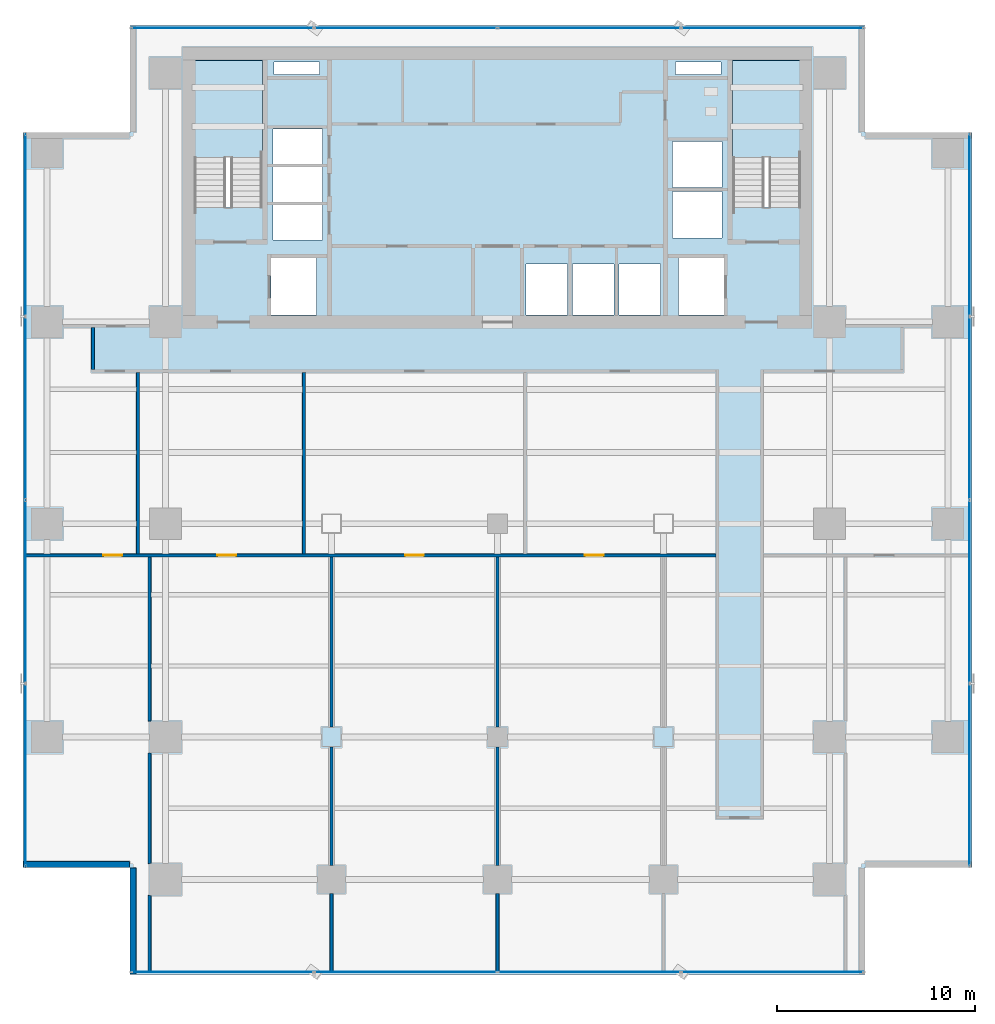
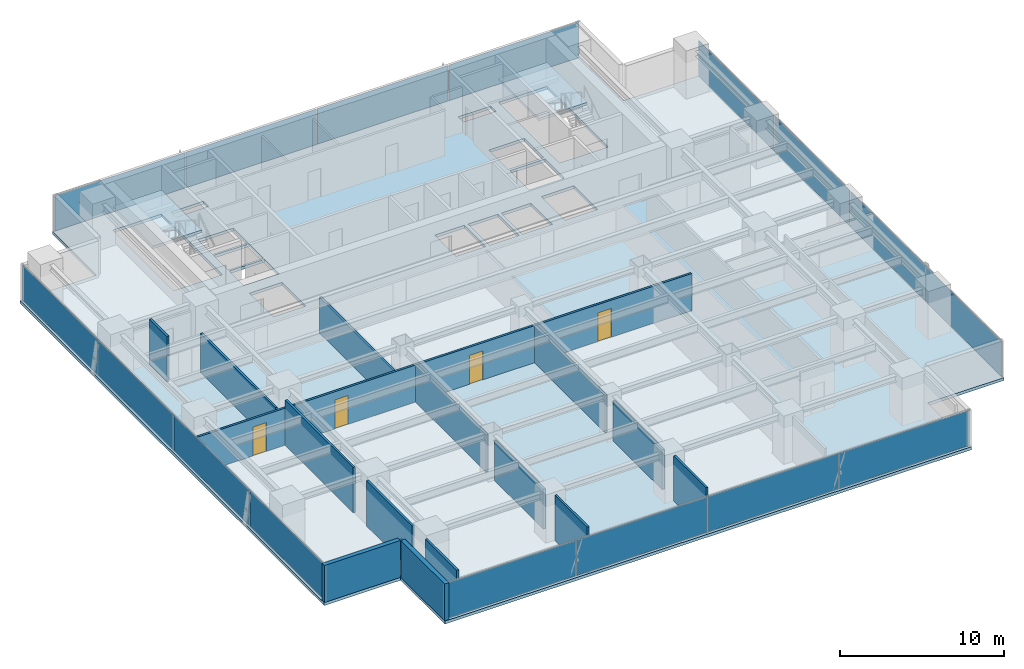
# One storey, part 20 of 28: 16 plates, 15 walls, 4 doors, 3 slabs, 4 openings, 6 elements without a shape of their own.
"""IFC4 building model written with IfcOpenShell, lengths in metres."""

from ifc_helpers import new_model, si_unit, direction, frame, frame_2d, origin, origin_2d, place, context, subcontext, project, spatial, polyline, rectangle, outline, extrude, source, transform, mapped, material, layer, layer_set, type_object, element, fill, aggregate, save


model = new_model("IFC4")

# Units and contexts
model_context = context("Model", 3, precision=1e-05, world=origin(), true_north=direction((0.0, 1.0)))
body_context = subcontext(model_context, "Body", "Model", "MODEL_VIEW")
ifc_project = project(units=[si_unit("LENGTHUNIT", "METRE"), si_unit("AREAUNIT", "SQUARE_METRE"), si_unit("VOLUMEUNIT", "CUBIC_METRE"), si_unit("PLANEANGLEUNIT", "RADIAN"), si_unit("MASSUNIT", "GRAM", prefix="KILO")], contexts=[model_context])

# Site, building, storey
site_placement = place(None, origin())
site = spatial("IfcSite", under=ifc_project, at=site_placement, CompositionType="ELEMENT")
building_placement = place(site_placement, origin())
building = spatial("IfcBuilding", under=site, at=building_placement, Name="Sumidabori Civic Tower", CompositionType="ELEMENT")
storey_placement = place(building_placement, frame((0.0, 0.0, 153.199951171875)))
storey = spatial("IfcBuildingStorey", under=building, at=storey_placement, Name="L39", CompositionType="ELEMENT", Elevation=153.199951171875)

# Stair, slab
ifc_material_1 = material(Name="Concrete C40/50", Category="concrete")
stair_type = type_object("IfcStairType", Name="ST-CORE-1600", PredefinedType="HALF_TURN_STAIR", material=ifc_material_1)
stair_1_placement = place(storey_placement, origin())
stair_1 = element("IfcStair", 1, at=stair_1_placement, inside=storey, type_object=stair_type, Name="L39 ST-1", PredefinedType="HALF_TURN_STAIR")
ifc_layer_1 = layer(ifc_material_1, 0.199951171875, Name="Concrete C40/50")
ifc_layer_set_1 = layer_set([ifc_layer_1], Name="Concrete C40/50")
slab_type_1 = type_object("IfcSlabType", Name="SL-LAND-200", PredefinedType="LANDING", material=ifc_layer_set_1)
slab_1_placement = place(storey_placement, frame((0.0, 0.0, 1.60009765625)))
slab_1 = element("IfcSlab", 2, at=slab_1_placement, type_object=slab_type_1, Name="ST-1 landing 1", PredefinedType="LANDING", context=body_context, shape_type="SweptSolid", body=[
    extrude(outline(polyline([(-11.89990234375, 18.52001953125), (-11.89990234375, 23.449951171875), (-15.340087890625, 23.449951171875), (-15.340087890625, 18.52001953125), (-11.89990234375, 18.52001953125)])), origin(), (0.0, 0.0, 1.0), 0.199951171875),
])
aggregate(stair_1, [slab_1])

stair_2_placement = place(storey_placement, origin())
stair_2 = element("IfcStair", 3, at=stair_2_placement, inside=storey, type_object=stair_type, Name="L39 ST-2", PredefinedType="HALF_TURN_STAIR")
slab_2_placement = place(storey_placement, frame((0.0, 0.0, 1.60009765625)))
slab_2 = element("IfcSlab", 4, at=slab_2_placement, type_object=slab_type_1, Name="ST-2 landing 1", PredefinedType="LANDING", context=body_context, shape_type="SweptSolid", body=[
    extrude(outline(polyline([(15.340087890625, 18.52001953125), (15.340087890625, 23.449951171875), (11.89990234375, 23.449951171875), (11.89990234375, 18.52001953125), (15.340087890625, 18.52001953125)])), origin(), (0.0, 0.0, 1.0), 0.199951171875),
])
aggregate(stair_2, [slab_2])

# Slab
ifc_layer_2 = layer(ifc_material_1, 0.219970703125, Name="Concrete C40/50")
ifc_layer_set_2 = layer_set([ifc_layer_2], Name="Concrete C40/50")
slab_type_2 = type_object("IfcSlabType", Name="SL-Z3-220", PredefinedType="FLOOR", material=ifc_layer_set_2)
slab_3_placement = place(storey_placement, frame((0.0, 0.0, -0.219970703125)))
element("IfcSlab", 5, at=slab_3_placement, inside=storey, type_object=slab_type_2, Name="Structural Slab L39", PredefinedType="FLOOR", context=body_context, shape_type="SweptSolid", body=[
    extrude(outline(polyline([(-18.60009765625, -22.800048828125), (18.60009765625, -22.800048828125), (18.60009765625, -17.39990234375), (24.0, -17.39990234375), (24.0, 19.800048828125), (18.60009765625, 19.800048828125), (18.60009765625, 25.199951171875), (-18.60009765625, 25.199951171875), (-18.60009765625, 19.800048828125), (-24.0, 19.800048828125), (-24.0, -17.39990234375), (-18.60009765625, -17.39990234375), (-18.60009765625, -22.800048828125)]), holes=[polyline([(-11.89990234375, 16.0), (-11.89990234375, 23.449951171875), (-15.340087890625, 23.449951171875), (-15.340087890625, 16.0), (-11.89990234375, 16.0)]), polyline([(15.340087890625, 16.0), (15.340087890625, 23.449951171875), (11.89990234375, 23.449951171875), (11.89990234375, 16.0), (15.340087890625, 16.0)]), polyline([(-11.449951171875, 10.550048828125), (-9.14990234375, 10.550048828125), (-9.14990234375, 13.449951171875), (-11.449951171875, 13.449951171875), (-11.449951171875, 10.550048828125)]), polyline([(9.14990234375, 10.550048828125), (11.449951171875, 10.550048828125), (11.449951171875, 13.449951171875), (9.14990234375, 13.449951171875), (9.14990234375, 10.550048828125)]), polyline([(1.449951171875, 10.550048828125), (3.550048828125, 10.550048828125), (3.550048828125, 13.14990234375), (1.449951171875, 13.14990234375), (1.449951171875, 10.550048828125)]), polyline([(3.800048828125, 10.550048828125), (5.89990234375, 10.550048828125), (5.89990234375, 13.14990234375), (3.800048828125, 13.14990234375), (3.800048828125, 10.550048828125)]), polyline([(6.14990234375, 10.550048828125), (8.25, 10.550048828125), (8.25, 13.14990234375), (6.14990234375, 13.14990234375), (6.14990234375, 10.550048828125)]), polyline([(-11.35009765625, 14.35009765625), (-8.85009765625, 14.35009765625), (-8.85009765625, 16.1201171875), (-11.35009765625, 16.1201171875), (-11.35009765625, 14.35009765625)]), polyline([(-11.35009765625, 16.27001953125), (-8.85009765625, 16.27001953125), (-8.85009765625, 18.0400390625), (-11.35009765625, 18.0400390625), (-11.35009765625, 16.27001953125)]), polyline([(-11.35009765625, 18.18994140625), (-8.85009765625, 18.18994140625), (-8.85009765625, 19.9599609375), (-11.35009765625, 19.9599609375), (-11.35009765625, 18.18994140625)]), polyline([(8.85009765625, 14.449951171875), (11.35009765625, 14.449951171875), (11.35009765625, 16.800048828125), (8.85009765625, 16.800048828125), (8.85009765625, 14.449951171875)]), polyline([(8.85009765625, 17.0), (11.35009765625, 17.0), (11.35009765625, 19.35009765625), (8.85009765625, 19.35009765625), (8.85009765625, 17.0)]), polyline([(-11.300048828125, 22.719970703125), (-9.0, 22.719970703125), (-9.0, 23.35009765625), (-11.300048828125, 23.35009765625), (-11.300048828125, 22.719970703125)]), polyline([(9.0, 22.719970703125), (11.300048828125, 22.719970703125), (11.300048828125, 23.35009765625), (9.0, 23.35009765625), (9.0, 22.719970703125)])]), origin(), (0.0, 0.0, 1.0), 0.219970703125),
])

# Curtain wall, plates
ifc_material_2 = material(Name="Anodised Bronze Aluminium AW-6063-T6", Category="aluminium")
ifc_layer_3 = layer(ifc_material_2, 0.179931640625, Name="Anodised Bronze Aluminium AW-6063-T6")
ifc_layer_set_3 = layer_set([ifc_layer_3], Name="Anodised Bronze Aluminium AW-6063-T6")
curtain_wall_type = type_object("IfcCurtainWallType", Name="CW-SYS-3", PredefinedType="NOTDEFINED", material=ifc_layer_set_3)
curtain_wall_1_placement = place(storey_placement, origin())
curtain_wall_1 = element("IfcCurtainWall", 6, at=curtain_wall_1_placement, inside=storey, type_object=curtain_wall_type, Name="Curtain Wall CW:L39:R01", PredefinedType="NOTDEFINED")
ifc_material_3 = material(Name="Low-E Solar-Control Vision Glazing", Category="glass")
ifc_layer_4 = layer(ifc_material_3, 0.028076171875, Name="Low-E Solar-Control Vision Glazing")
ifc_layer_set_4 = layer_set([ifc_layer_4], Name="Low-E Solar-Control Vision Glazing")
plate_type = type_object("IfcPlateType", Name="CW-PNL-28", PredefinedType="CURTAIN_PANEL", material=ifc_layer_set_4)
shared_shape_1 = source(origin(), body_context, "Body", "SweptSolid", [
    extrude(rectangle(XDim=9.1875, YDim=0.028076171875, at=origin_2d()), origin(), (0.0, 0.0, 1.0), 2.639892578125),
])
plate_1_placement = place(storey_placement, frame((-13.9111328125, -22.679931640625, 0.06005859375), z_axis=(0.0, 0.0, 1.0), x_axis=(1.0, 0.0, 0.0)))
plate_1 = element("IfcPlate", 7, at=plate_1_placement, type_object=plate_type, Name="CW-3 panel 1.1", PredefinedType="CURTAIN_PANEL", context=body_context, shape_type="MappedRepresentation", body=[
    mapped(shared_shape_1, transform((0.0, 0.0, 0.0), x_axis=(1.0, 0.0, 0.0), y_axis=(0.0, 1.0, 0.0), z_axis=(0.0, 0.0, 1.0), scale=1.0)),
])
plate_2_placement = place(storey_placement, frame((13.9111328125, -22.679931640625, 0.06005859375), z_axis=(0.0, 0.0, 1.0), x_axis=(1.0, 0.0, 0.0)))
plate_2 = element("IfcPlate", 8, at=plate_2_placement, type_object=plate_type, Name="CW-3 panel 4.1", PredefinedType="CURTAIN_PANEL", context=body_context, shape_type="MappedRepresentation", body=[
    mapped(shared_shape_1, transform((0.0, 0.0, 0.0), x_axis=(1.0, 0.0, 0.0), y_axis=(0.0, 1.0, 0.0), z_axis=(0.0, 0.0, 1.0), scale=1.0)),
])

curtain_wall_2_placement = place(storey_placement, origin())
curtain_wall_2 = element("IfcCurtainWall", 9, at=curtain_wall_2_placement, inside=storey, type_object=curtain_wall_type, Name="Curtain Wall CW:L39:R04", PredefinedType="NOTDEFINED")
plate_3_placement = place(storey_placement, frame((23.8798828125, -12.711181640625, 0.06005859375), z_axis=(0.0, 0.0, 1.0), x_axis=(0.0, 1.0, 0.0)))
plate_3 = element("IfcPlate", 10, at=plate_3_placement, type_object=plate_type, Name="CW-3 panel 1.1", PredefinedType="CURTAIN_PANEL", context=body_context, shape_type="MappedRepresentation", body=[
    mapped(shared_shape_1, transform((0.0, 0.0, 0.0), x_axis=(1.0, 0.0, 0.0), y_axis=(0.0, 1.0, 0.0), z_axis=(0.0, 0.0, 1.0), scale=1.0)),
])
plate_4_placement = place(storey_placement, frame((23.8798828125, 15.111328125, 0.06005859375), z_axis=(0.0, 0.0, 1.0), x_axis=(0.0, 1.0, 0.0)))
plate_4 = element("IfcPlate", 11, at=plate_4_placement, type_object=plate_type, Name="CW-3 panel 4.1", PredefinedType="CURTAIN_PANEL", context=body_context, shape_type="MappedRepresentation", body=[
    mapped(shared_shape_1, transform((0.0, 0.0, 0.0), x_axis=(1.0, 0.0, 0.0), y_axis=(0.0, 1.0, 0.0), z_axis=(0.0, 0.0, 1.0), scale=1.0)),
])

curtain_wall_3_placement = place(storey_placement, origin())
curtain_wall_3 = element("IfcCurtainWall", 12, at=curtain_wall_3_placement, inside=storey, type_object=curtain_wall_type, Name="Curtain Wall CW:L39:R07", PredefinedType="NOTDEFINED")
plate_5_placement = place(storey_placement, frame((13.9111328125, 25.080078125, 0.06005859375), z_axis=(0.0, 0.0, 1.0), x_axis=(-1.0, 0.0, 0.0)))
plate_5 = element("IfcPlate", 13, at=plate_5_placement, type_object=plate_type, Name="CW-3 panel 1.1", PredefinedType="CURTAIN_PANEL", context=body_context, shape_type="MappedRepresentation", body=[
    mapped(shared_shape_1, transform((0.0, 0.0, 0.0), x_axis=(1.0, 0.0, 0.0), y_axis=(0.0, 1.0, 0.0), z_axis=(0.0, 0.0, 1.0), scale=1.0)),
])
plate_6_placement = place(storey_placement, frame((-13.9111328125, 25.080078125, 0.06005859375), z_axis=(0.0, 0.0, 1.0), x_axis=(-1.0, 0.0, 0.0)))
plate_6 = element("IfcPlate", 14, at=plate_6_placement, type_object=plate_type, Name="CW-3 panel 4.1", PredefinedType="CURTAIN_PANEL", context=body_context, shape_type="MappedRepresentation", body=[
    mapped(shared_shape_1, transform((0.0, 0.0, 0.0), x_axis=(1.0, 0.0, 0.0), y_axis=(0.0, 1.0, 0.0), z_axis=(0.0, 0.0, 1.0), scale=1.0)),
])

curtain_wall_4_placement = place(storey_placement, origin())
curtain_wall_4 = element("IfcCurtainWall", 15, at=curtain_wall_4_placement, inside=storey, type_object=curtain_wall_type, Name="Curtain Wall CW:L39:R10", PredefinedType="NOTDEFINED")
plate_7_placement = place(storey_placement, frame((-23.8798828125, 15.111328125, 0.06005859375), z_axis=(0.0, 0.0, 1.0), x_axis=(0.0, -1.0, 0.0)))
plate_7 = element("IfcPlate", 16, at=plate_7_placement, type_object=plate_type, Name="CW-3 panel 1.1", PredefinedType="CURTAIN_PANEL", context=body_context, shape_type="MappedRepresentation", body=[
    mapped(shared_shape_1, transform((0.0, 0.0, 0.0), x_axis=(1.0, 0.0, 0.0), y_axis=(0.0, 1.0, 0.0), z_axis=(0.0, 0.0, 1.0), scale=1.0)),
])
plate_8_placement = place(storey_placement, frame((-23.8798828125, -12.711181640625, 0.06005859375), z_axis=(0.0, 0.0, 1.0), x_axis=(0.0, -1.0, 0.0)))
plate_8 = element("IfcPlate", 17, at=plate_8_placement, type_object=plate_type, Name="CW-3 panel 4.1", PredefinedType="CURTAIN_PANEL", context=body_context, shape_type="MappedRepresentation", body=[
    mapped(shared_shape_1, transform((0.0, 0.0, 0.0), x_axis=(1.0, 0.0, 0.0), y_axis=(0.0, 1.0, 0.0), z_axis=(0.0, 0.0, 1.0), scale=1.0)),
])

# Plate
shared_shape_2 = source(origin(), body_context, "Body", "SweptSolid", [
    extrude(rectangle(XDim=9.219970703125, YDim=0.028076171875, at=origin_2d()), origin(), (0.0, 0.0, 1.0), 2.639892578125),
])
plate_9_placement = place(storey_placement, frame((-4.642578125, -22.679931640625, 0.06005859375), z_axis=(0.0, 0.0, 1.0), x_axis=(1.0, 0.0, 0.0)))
plate_9 = element("IfcPlate", 18, at=plate_9_placement, type_object=plate_type, Name="CW-3 panel 2.1", PredefinedType="CURTAIN_PANEL", context=body_context, shape_type="MappedRepresentation", body=[
    mapped(shared_shape_2, transform((0.0, 0.0, 0.0), x_axis=(1.0, 0.0, 0.0), y_axis=(0.0, 1.0, 0.0), z_axis=(0.0, 0.0, 1.0), scale=1.0)),
])

plate_10_placement = place(storey_placement, frame((4.642578125, -22.679931640625, 0.06005859375), z_axis=(0.0, 0.0, 1.0), x_axis=(1.0, 0.0, 0.0)))
plate_10 = element("IfcPlate", 19, at=plate_10_placement, type_object=plate_type, Name="CW-3 panel 3.1", PredefinedType="CURTAIN_PANEL", context=body_context, shape_type="MappedRepresentation", body=[
    mapped(shared_shape_2, transform((0.0, 0.0, 0.0), x_axis=(1.0, 0.0, 0.0), y_axis=(0.0, 1.0, 0.0), z_axis=(0.0, 0.0, 1.0), scale=1.0)),
])

aggregate(curtain_wall_1, [plate_1, plate_9, plate_10, plate_2])

plate_11_placement = place(storey_placement, frame((23.8798828125, -3.4423828125, 0.06005859375), z_axis=(0.0, 0.0, 1.0), x_axis=(0.0, 1.0, 0.0)))
plate_11 = element("IfcPlate", 20, at=plate_11_placement, type_object=plate_type, Name="CW-3 panel 2.1", PredefinedType="CURTAIN_PANEL", context=body_context, shape_type="MappedRepresentation", body=[
    mapped(shared_shape_2, transform((0.0, 0.0, 0.0), x_axis=(1.0, 0.0, 0.0), y_axis=(0.0, 1.0, 0.0), z_axis=(0.0, 0.0, 1.0), scale=1.0)),
])

plate_12_placement = place(storey_placement, frame((23.8798828125, 5.842529296875, 0.06005859375), z_axis=(0.0, 0.0, 1.0), x_axis=(0.0, 1.0, 0.0)))
plate_12 = element("IfcPlate", 21, at=plate_12_placement, type_object=plate_type, Name="CW-3 panel 3.1", PredefinedType="CURTAIN_PANEL", context=body_context, shape_type="MappedRepresentation", body=[
    mapped(shared_shape_2, transform((0.0, 0.0, 0.0), x_axis=(1.0, 0.0, 0.0), y_axis=(0.0, 1.0, 0.0), z_axis=(0.0, 0.0, 1.0), scale=1.0)),
])

aggregate(curtain_wall_2, [plate_3, plate_11, plate_12, plate_4])

plate_13_placement = place(storey_placement, frame((4.642578125, 25.080078125, 0.06005859375), z_axis=(0.0, 0.0, 1.0), x_axis=(-1.0, 0.0, 0.0)))
plate_13 = element("IfcPlate", 22, at=plate_13_placement, type_object=plate_type, Name="CW-3 panel 2.1", PredefinedType="CURTAIN_PANEL", context=body_context, shape_type="MappedRepresentation", body=[
    mapped(shared_shape_2, transform((0.0, 0.0, 0.0), x_axis=(1.0, 0.0, 0.0), y_axis=(0.0, 1.0, 0.0), z_axis=(0.0, 0.0, 1.0), scale=1.0)),
])

plate_14_placement = place(storey_placement, frame((-4.642578125, 25.080078125, 0.06005859375), z_axis=(0.0, 0.0, 1.0), x_axis=(-1.0, 0.0, 0.0)))
plate_14 = element("IfcPlate", 23, at=plate_14_placement, type_object=plate_type, Name="CW-3 panel 3.1", PredefinedType="CURTAIN_PANEL", context=body_context, shape_type="MappedRepresentation", body=[
    mapped(shared_shape_2, transform((0.0, 0.0, 0.0), x_axis=(1.0, 0.0, 0.0), y_axis=(0.0, 1.0, 0.0), z_axis=(0.0, 0.0, 1.0), scale=1.0)),
])

aggregate(curtain_wall_3, [plate_5, plate_13, plate_14, plate_6])

plate_15_placement = place(storey_placement, frame((-23.8798828125, 5.842529296875, 0.06005859375), z_axis=(0.0, 0.0, 1.0), x_axis=(0.0, -1.0, 0.0)))
plate_15 = element("IfcPlate", 24, at=plate_15_placement, type_object=plate_type, Name="CW-3 panel 2.1", PredefinedType="CURTAIN_PANEL", context=body_context, shape_type="MappedRepresentation", body=[
    mapped(shared_shape_2, transform((0.0, 0.0, 0.0), x_axis=(1.0, 0.0, 0.0), y_axis=(0.0, 1.0, 0.0), z_axis=(0.0, 0.0, 1.0), scale=1.0)),
])

plate_16_placement = place(storey_placement, frame((-23.8798828125, -3.4423828125, 0.06005859375), z_axis=(0.0, 0.0, 1.0), x_axis=(0.0, -1.0, 0.0)))
plate_16 = element("IfcPlate", 25, at=plate_16_placement, type_object=plate_type, Name="CW-3 panel 3.1", PredefinedType="CURTAIN_PANEL", context=body_context, shape_type="MappedRepresentation", body=[
    mapped(shared_shape_2, transform((0.0, 0.0, 0.0), x_axis=(1.0, 0.0, 0.0), y_axis=(0.0, 1.0, 0.0), z_axis=(0.0, 0.0, 1.0), scale=1.0)),
])

aggregate(curtain_wall_4, [plate_7, plate_15, plate_16, plate_8])

# Walls
ifc_material_4 = material(Name="Precast concrete C40/50", Category="concrete")
ifc_layer_5 = layer(ifc_material_4, 0.300048828125, Name="Precast concrete C40/50")
ifc_layer_set_5 = layer_set([ifc_layer_5], Name="Precast concrete C40/50")
wall_type_1 = type_object("IfcWallType", Name="WL-EXT-POD300", PredefinedType="STANDARD", material=ifc_layer_set_5)
shared_shape_3 = source(origin(), body_context, "Body", "SweptSolid", [
    extrude(rectangle(XDim=5.360107421875, YDim=0.300048828125, at=frame_2d((2.68017578125, 0.0))), origin(), (0.0, 0.0, 1.0), 2.760009765625),
])
wall_1_placement = place(storey_placement, frame((-18.449951171875, -17.419921875, 0.0), z_axis=(0.0, 0.0, 1.0), x_axis=(0.0, -1.0, 0.0)))
element("IfcWall", 26, at=wall_1_placement, inside=storey, type_object=wall_type_1, Name="Notched Corner Spandrel Band L39-12", PredefinedType="STANDARD", context=body_context, shape_type="MappedRepresentation", body=[
    mapped(shared_shape_3, transform((0.0, 0.0, 0.0), x_axis=(1.0, 0.0, 0.0), y_axis=(0.0, 1.0, 0.0), z_axis=(0.0, 0.0, 1.0), scale=1.0)),
])
shared_shape_4 = source(origin(), body_context, "Body", "SweptSolid", [
    extrude(rectangle(XDim=5.35986328125, YDim=0.300048828125, at=frame_2d((2.679931640625, 0.0))), origin(), (0.0, 0.0, 1.0), 2.760009765625),
])
wall_2_placement = place(storey_placement, frame((-23.97998046875, -17.25, 0.0), z_axis=(0.0, 0.0, 1.0), x_axis=(1.0, 0.0, 0.0)))
element("IfcWall", 27, at=wall_2_placement, inside=storey, type_object=wall_type_1, Name="Notched Corner Spandrel Band L39-11", PredefinedType="STANDARD", context=body_context, shape_type="MappedRepresentation", body=[
    mapped(shared_shape_4, transform((0.0, 0.0, 0.0), x_axis=(1.0, 0.0, 0.0), y_axis=(0.0, 1.0, 0.0), z_axis=(0.0, 0.0, 1.0), scale=1.0)),
])
ifc_material_5 = material(Name="Gypsum Plasterboard Acoustic Partition")
ifc_layer_6 = layer(ifc_material_5, 0.14990234375, Name="Gypsum Plasterboard Acoustic Partition")
ifc_layer_set_6 = layer_set([ifc_layer_6], Name="Gypsum Plasterboard Acoustic Partition")
wall_type_2 = type_object("IfcWallType", Name="WL-PART-150", PredefinedType="PARTITIONING", material=ifc_layer_set_6)
shared_shape_5 = source(origin(), body_context, "Body", "SweptSolid", [
    extrude(rectangle(XDim=9.1650390625, YDim=0.14990234375, at=frame_2d((4.58251953125, 0.0))), origin(), (0.0, 0.0, 1.0), 2.9150390625),
])
wall_3_placement = place(storey_placement, frame((-18.199951171875, -1.52001953125, 0.0), z_axis=(0.0, 0.0, 1.0), x_axis=(0.0, 1.0, 0.0)))
element("IfcWall", 28, at=wall_3_placement, inside=storey, type_object=wall_type_2, Name="Interior Partition WL:L39:VX-N1", PredefinedType="PARTITIONING", context=body_context, shape_type="MappedRepresentation", body=[
    mapped(shared_shape_5, transform((0.0, 0.0, 0.0), x_axis=(1.0, 0.0, 0.0), y_axis=(0.0, 1.0, 0.0), z_axis=(0.0, 0.0, 1.0), scale=1.0)),
])
shared_shape_6 = source(origin(), body_context, "Body", "SweptSolid", [
    extrude(rectangle(XDim=9.1650390625, YDim=0.14990234375, at=frame_2d((4.58251953125, 0.0))), origin(), (0.0, 0.0, 1.0), 2.6650390625),
])
wall_4_placement = place(storey_placement, frame((-9.800048828125, -1.52001953125, 0.0), z_axis=(0.0, 0.0, 1.0), x_axis=(0.0, 1.0, 0.0)))
element("IfcWall", 29, at=wall_4_placement, inside=storey, type_object=wall_type_2, Name="Interior Partition WL:L39:VX-N2", PredefinedType="PARTITIONING", context=body_context, shape_type="MappedRepresentation", body=[
    mapped(shared_shape_6, transform((0.0, 0.0, 0.0), x_axis=(1.0, 0.0, 0.0), y_axis=(0.0, 1.0, 0.0), z_axis=(0.0, 0.0, 1.0), scale=1.0)),
])
shared_shape_7 = source(origin(), body_context, "Body", "SweptSolid", [
    extrude(rectangle(XDim=5.97998046875, YDim=0.14990234375, at=frame_2d((2.989990234375, 0.0))), origin(), (0.0, 0.0, 1.0), 2.965087890625),
])
for number, where, z_axis, x_axis, name in (
    (30, (-8.39990234375, -17.2900390625, 0.0), (0.0, 0.0, 1.0), (0.0, 1.0, 0.0), "Interior Partition WL:L39:VX-S2-2"),
    (31, (0.0, -17.2900390625, 0.0), (0.0, 0.0, 1.0), (0.0, 1.0, 0.0), "Interior Partition WL:L39:VX-S3-2"),
):
    element("IfcWall", number, at=place(storey_placement, frame(where, z_axis=z_axis, x_axis=x_axis)), inside=storey, type_object=wall_type_2, Name=name, PredefinedType="PARTITIONING", context=body_context, shape_type="MappedRepresentation", body=[
        mapped(shared_shape_7, transform((0.0, 0.0, 0.0), x_axis=(1.0, 0.0, 0.0), y_axis=(0.0, 1.0, 0.0), z_axis=(0.0, 0.0, 1.0), scale=1.0)),
    ])
shared_shape_8 = source(origin(), body_context, "Body", "SweptSolid", [
    extrude(rectangle(XDim=2.114990234375, YDim=0.14990234375, at=frame_2d((1.0576171875, 0.0))), origin(), (0.0, 0.0, 1.0), 3.380126953125),
])
wall_5_placement = place(storey_placement, frame((-20.47509765625, 7.804931640625, 0.0), z_axis=(0.0, 0.0, 1.0), x_axis=(0.0, 1.0, 0.0)))
element("IfcWall", 32, at=wall_5_placement, inside=storey, type_object=wall_type_2, Name="Interior Partition WL:L39:CORR-VNW", PredefinedType="PARTITIONING", context=body_context, shape_type="MappedRepresentation", body=[
    mapped(shared_shape_8, transform((0.0, 0.0, 0.0), x_axis=(1.0, 0.0, 0.0), y_axis=(0.0, 1.0, 0.0), z_axis=(0.0, 0.0, 1.0), scale=1.0)),
])

# Wall, openings, doors
shared_shape_9 = source(origin(), body_context, "Body", "SweptSolid", [
    extrude(rectangle(XDim=34.89501953125, YDim=0.14990234375, at=frame_2d((17.447509765625, 0.0))), origin(), (0.0, 0.0, 1.0), 2.76513671875),
])
wall_6_placement = place(storey_placement, frame((-23.85009765625, -1.60009765625, 0.0), z_axis=(0.0, 0.0, 1.0), x_axis=(1.0, 0.0, 0.0)))
wall_6 = element("IfcWall", 33, at=wall_6_placement, inside=storey, type_object=wall_type_2, Name="Interior Partition WL:L39:BAND-Y-1", PredefinedType="PARTITIONING", context=body_context, shape_type="MappedRepresentation", body=[
    mapped(shared_shape_9, transform((0.0, 0.0, 0.0), x_axis=(1.0, 0.0, 0.0), y_axis=(0.0, 1.0, 0.0), z_axis=(0.0, 0.0, 1.0), scale=1.0)),
])
opening_1_placement = place(wall_6_placement, frame((3.91259765625, 0.0, 0.0)))
opening_1 = element("IfcOpeningElement", 34, at=opening_1_placement, cuts=wall_6, Name="Opening DR-2", PredefinedType="OPENING", context=body_context, shape_type="SweptSolid", body=[
    extrude(rectangle(XDim=0.949951171875, YDim=2.14990234375, at=frame_2d((0.47509765625, 1.074951171875))), frame((0.0, 0.0869140625, 0.0), z_axis=(0.0, -1.0, 0.0), x_axis=(1.0, 0.0, 0.0)), (0.0, 0.0, 1.0), 0.173828125),
])
opening_2_placement = place(wall_6_placement, frame((9.675048828125, 0.0, 0.0)))
opening_2 = element("IfcOpeningElement", 35, at=opening_2_placement, cuts=wall_6, Name="Opening DR-2", PredefinedType="OPENING", context=body_context, shape_type="SweptSolid", body=[
    extrude(rectangle(XDim=0.949951171875, YDim=2.14990234375, at=frame_2d((0.47509765625, 1.074951171875))), frame((0.0, 0.0869140625, 0.0), z_axis=(0.0, -1.0, 0.0), x_axis=(1.0, 0.0, 0.0)), (0.0, 0.0, 1.0), 0.173828125),
])
opening_3_placement = place(wall_6_placement, frame((19.175048828125, 0.0, 0.0)))
opening_3 = element("IfcOpeningElement", 36, at=opening_3_placement, cuts=wall_6, Name="Opening DR-2", PredefinedType="OPENING", context=body_context, shape_type="SweptSolid", body=[
    extrude(rectangle(XDim=0.949951171875, YDim=2.14990234375, at=frame_2d((0.47509765625, 1.074951171875))), frame((0.0, 0.0869140625, 0.0), z_axis=(0.0, -1.0, 0.0), x_axis=(1.0, 0.0, 0.0)), (0.0, 0.0, 1.0), 0.173828125),
])
opening_4_placement = place(wall_6_placement, frame((28.27490234375, 0.0, 0.0)))
opening_4 = element("IfcOpeningElement", 37, at=opening_4_placement, cuts=wall_6, Name="Opening DR-2", PredefinedType="OPENING", context=body_context, shape_type="SweptSolid", body=[
    extrude(rectangle(XDim=0.949951171875, YDim=2.14990234375, at=frame_2d((0.47509765625, 1.074951171875))), frame((0.0, 0.0869140625, 0.0), z_axis=(0.0, -1.0, 0.0), x_axis=(1.0, 0.0, 0.0)), (0.0, 0.0, 1.0), 0.173828125),
])
ifc_material_6 = material(Name="Japanese Hinoki Timber", Category="wood")
door_type = type_object("IfcDoorType", Name="DR-INT-950", OperationType="NOTDEFINED", PredefinedType="DOOR", material=ifc_material_6)
shared_shape_10 = source(origin(), body_context, "Body", "SweptSolid", [
    extrude(rectangle(XDim=0.949951171875, YDim=2.14990234375, at=frame_2d((0.47509765625, 1.074951171875))), frame((0.0, 0.02490234375, 0.0), z_axis=(0.0, -1.0, 0.0), x_axis=(1.0, 0.0, 0.0)), (0.0, 0.0, 1.0), 0.050048828125),
])
door_1_placement = place(opening_1_placement, origin())
door_1 = element("IfcDoor", 38, at=door_1_placement, inside=storey, type_object=door_type, Name="Door DR:L39:D08", OperationType="SINGLE_SWING_RIGHT", OverallHeight=2.14990234375, OverallWidth=0.949951171875, PredefinedType="DOOR", context=body_context, shape_type="MappedRepresentation", body=[
    mapped(shared_shape_10, transform((0.0, 0.0, 0.0), x_axis=(1.0, 0.0, 0.0), y_axis=(0.0, 1.0, 0.0), z_axis=(0.0, 0.0, 1.0), scale=1.0)),
])
fill(opening_1, door_1)
door_2_placement = place(opening_2_placement, origin())
door_2 = element("IfcDoor", 39, at=door_2_placement, inside=storey, type_object=door_type, Name="Door DR:L39:D10", OperationType="SINGLE_SWING_RIGHT", OverallHeight=2.14990234375, OverallWidth=0.949951171875, PredefinedType="DOOR", context=body_context, shape_type="MappedRepresentation", body=[
    mapped(shared_shape_10, transform((0.0, 0.0, 0.0), x_axis=(1.0, 0.0, 0.0), y_axis=(0.0, 1.0, 0.0), z_axis=(0.0, 0.0, 1.0), scale=1.0)),
])
fill(opening_2, door_2)
door_3_placement = place(opening_3_placement, origin())
door_3 = element("IfcDoor", 40, at=door_3_placement, inside=storey, type_object=door_type, Name="Door DR:L39:D11", OperationType="SINGLE_SWING_LEFT", OverallHeight=2.14990234375, OverallWidth=0.949951171875, PredefinedType="DOOR", context=body_context, shape_type="MappedRepresentation", body=[
    mapped(shared_shape_10, transform((0.0, 0.0, 0.0), x_axis=(1.0, 0.0, 0.0), y_axis=(0.0, 1.0, 0.0), z_axis=(0.0, 0.0, 1.0), scale=1.0)),
])
fill(opening_3, door_3)
door_4_placement = place(opening_4_placement, origin())
door_4 = element("IfcDoor", 41, at=door_4_placement, inside=storey, type_object=door_type, Name="Door DR:L39:D12", OperationType="SINGLE_SWING_RIGHT", OverallHeight=2.14990234375, OverallWidth=0.949951171875, PredefinedType="DOOR", context=body_context, shape_type="MappedRepresentation", body=[
    mapped(shared_shape_10, transform((0.0, 0.0, 0.0), x_axis=(1.0, 0.0, 0.0), y_axis=(0.0, 1.0, 0.0), z_axis=(0.0, 0.0, 1.0), scale=1.0)),
])
fill(opening_4, door_4)

# Walls
shared_shape_11 = source(origin(), body_context, "Body", "SweptSolid", [
    extrude(rectangle(XDim=3.83984375, YDim=0.14990234375, at=frame_2d((1.919921875, 0.0))), origin(), (0.0, 0.0, 1.0), 3.380126953125),
])
wall_7_placement = place(storey_placement, frame((-17.60009765625, -22.64990234375, 0.0), z_axis=(0.0, 0.0, 1.0), x_axis=(0.0, 1.0, 0.0)))
element("IfcWall", 42, at=wall_7_placement, inside=storey, type_object=wall_type_2, Name="Interior Partition WL:L39:VX-S1-1", PredefinedType="PARTITIONING", context=body_context, shape_type="MappedRepresentation", body=[
    mapped(shared_shape_11, transform((0.0, 0.0, 0.0), x_axis=(1.0, 0.0, 0.0), y_axis=(0.0, 1.0, 0.0), z_axis=(0.0, 0.0, 1.0), scale=1.0)),
])
shared_shape_12 = source(origin(), body_context, "Body", "SweptSolid", [
    extrude(rectangle(XDim=5.579833984375, YDim=0.14990234375, at=frame_2d((2.7900390625, 0.0))), origin(), (0.0, 0.0, 1.0), 3.380126953125),
])
wall_8_placement = place(storey_placement, frame((-17.60009765625, -17.18994140625, 0.0), z_axis=(0.0, 0.0, 1.0), x_axis=(0.0, 1.0, 0.0)))
element("IfcWall", 43, at=wall_8_placement, inside=storey, type_object=wall_type_2, Name="Interior Partition WL:L39:VX-S1-2", PredefinedType="PARTITIONING", context=body_context, shape_type="MappedRepresentation", body=[
    mapped(shared_shape_12, transform((0.0, 0.0, 0.0), x_axis=(1.0, 0.0, 0.0), y_axis=(0.0, 1.0, 0.0), z_axis=(0.0, 0.0, 1.0), scale=1.0)),
])
shared_shape_13 = source(origin(), body_context, "Body", "SweptSolid", [
    extrude(rectangle(XDim=8.31005859375, YDim=0.14990234375, at=frame_2d((4.155029296875, 0.0))), origin(), (0.0, 0.0, 1.0), 3.380126953125),
])
wall_9_placement = place(storey_placement, frame((-17.60009765625, -9.989990234375, 0.0), z_axis=(0.0, 0.0, 1.0), x_axis=(0.0, 1.0, 0.0)))
element("IfcWall", 44, at=wall_9_placement, inside=storey, type_object=wall_type_2, Name="Interior Partition WL:L39:VX-S1-3", PredefinedType="PARTITIONING", context=body_context, shape_type="MappedRepresentation", body=[
    mapped(shared_shape_13, transform((0.0, 0.0, 0.0), x_axis=(1.0, 0.0, 0.0), y_axis=(0.0, 1.0, 0.0), z_axis=(0.0, 0.0, 1.0), scale=1.0)),
])
shared_shape_14 = source(origin(), body_context, "Body", "SweptSolid", [
    extrude(rectangle(XDim=3.93994140625, YDim=0.14990234375, at=frame_2d((1.969970703125, 0.0))), origin(), (0.0, 0.0, 1.0), 3.380126953125),
])
for number, where, z_axis, x_axis, name in (
    (45, (-8.39990234375, -22.64990234375, 0.0), (0.0, 0.0, 1.0), (0.0, 1.0, 0.0), "Interior Partition WL:L39:VX-S2-1"),
    (46, (0.0, -22.64990234375, 0.0), (0.0, 0.0, 1.0), (0.0, 1.0, 0.0), "Interior Partition WL:L39:VX-S3-1"),
):
    element("IfcWall", number, at=place(storey_placement, frame(where, z_axis=z_axis, x_axis=x_axis)), inside=storey, type_object=wall_type_2, Name=name, PredefinedType="PARTITIONING", context=body_context, shape_type="MappedRepresentation", body=[
        mapped(shared_shape_14, transform((0.0, 0.0, 0.0), x_axis=(1.0, 0.0, 0.0), y_axis=(0.0, 1.0, 0.0), z_axis=(0.0, 0.0, 1.0), scale=1.0)),
    ])
shared_shape_15 = source(origin(), body_context, "Body", "SweptSolid", [
    extrude(rectangle(XDim=8.610107421875, YDim=0.14990234375, at=frame_2d((4.30517578125, 0.0))), origin(), (0.0, 0.0, 1.0), 2.76513671875),
])
for number, where, z_axis, x_axis, name in (
    (47, (-8.39990234375, -10.2900390625, 0.0), (0.0, 0.0, 1.0), (0.0, 1.0, 0.0), "Interior Partition WL:L39:VX-S2-3"),
    (48, (0.0, -10.2900390625, 0.0), (0.0, 0.0, 1.0), (0.0, 1.0, 0.0), "Interior Partition WL:L39:VX-S3-3"),
):
    element("IfcWall", number, at=place(storey_placement, frame(where, z_axis=z_axis, x_axis=x_axis)), inside=storey, type_object=wall_type_2, Name=name, PredefinedType="PARTITIONING", context=body_context, shape_type="MappedRepresentation", body=[
        mapped(shared_shape_15, transform((0.0, 0.0, 0.0), x_axis=(1.0, 0.0, 0.0), y_axis=(0.0, 1.0, 0.0), z_axis=(0.0, 0.0, 1.0), scale=1.0)),
    ])

save(model, "model.ifc")
